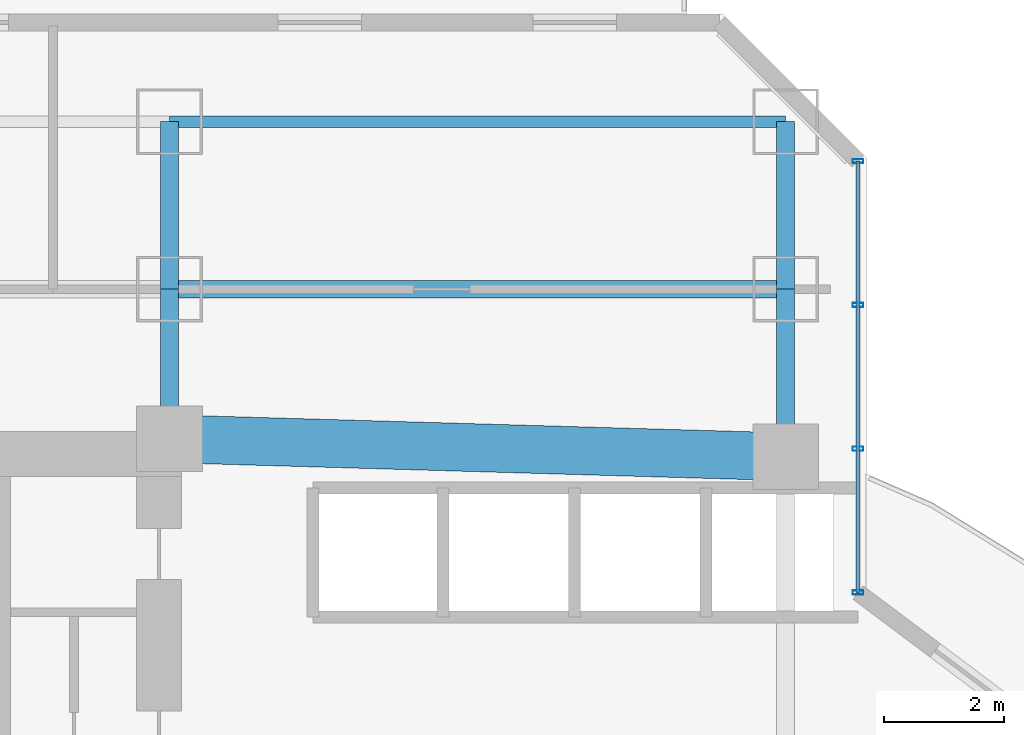
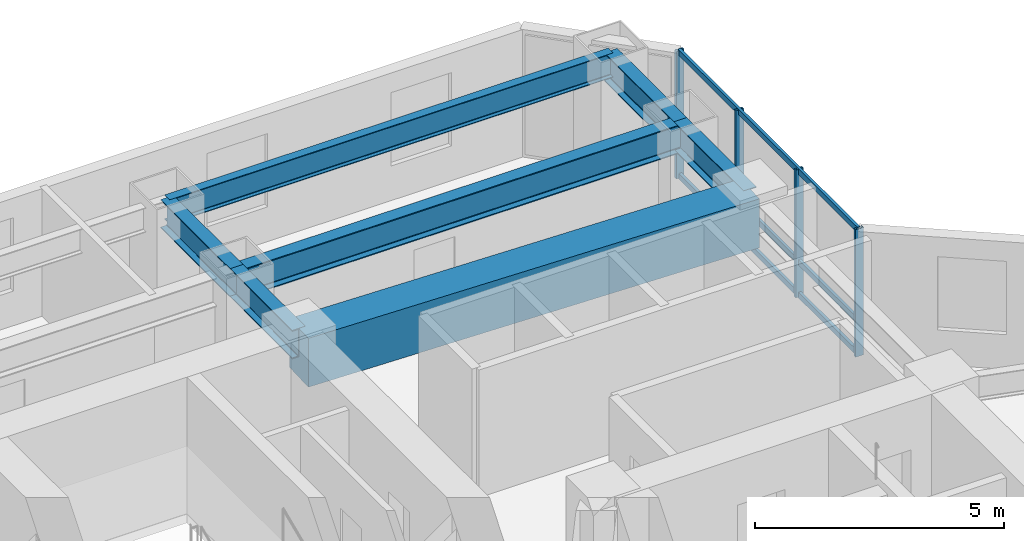
# One storey, part 18 of 33: 7 beams, 7 members, 1 element without a shape of its own.
"""IFC4 building model written with IfcOpenShell, lengths in metres."""

from ifc_helpers import new_model, si_unit, direction, frame, origin, origin_2d, place, context, subcontext, project, spatial, rectangle, hollow_rectangle, i_section, extrude, material, layer, layer_set, material_profile, profile_set, type_object, element, aggregate, save


model = new_model("IFC4")

# Units and contexts
model_context = context("Model", 3, precision=1e-05, world=origin(), true_north=direction((0.0, 1.0)))
body_context = subcontext(model_context, "Body", "Model", "MODEL_VIEW")
ifc_project = project(units=[si_unit("LENGTHUNIT", "METRE"), si_unit("AREAUNIT", "SQUARE_METRE"), si_unit("VOLUMEUNIT", "CUBIC_METRE"), si_unit("PLANEANGLEUNIT", "RADIAN"), si_unit("MASSUNIT", "GRAM", prefix="KILO")], contexts=[model_context])

# Site, building, storey
site_placement = place(None, origin())
site = spatial("IfcSite", under=ifc_project, at=site_placement, CompositionType="ELEMENT")
building_placement = place(site_placement, origin())
building = spatial("IfcBuilding", under=site, at=building_placement, Name="Hatsunagi Terrace Concourse", CompositionType="ELEMENT")
storey_placement = place(building_placement, frame((0.0, 0.0, 53.35009765625)))
storey = spatial("IfcBuildingStorey", under=building, at=storey_placement, Name="L13", CompositionType="ELEMENT", Elevation=53.35009765625)

# Beam
ifc_material_1 = material(Name="Concrete Fc60", Category="concrete")
ifc_material_profile_1 = material_profile(ifc_material_1, rectangle(XDim=0.800048828125, YDim=1.199951171875, at=origin_2d()), Name="RC-800x1200")
ifc_profile_set_1 = profile_set([ifc_material_profile_1], Name="Concrete Fc60")
beam_type_1 = type_object("IfcBeamType", Name="CoreCouplingBeam_RC_800x1200", PredefinedType="BEAM", material=ifc_profile_set_1)
beam_1_placement = place(storey_placement, frame((33.35009765625, 43.300048828125, 2.52978515625), z_axis=(0.999575947545, -0.029119153303, 0.0), x_axis=(0.029119153303, 0.999575947545, 0.0)))
element("IfcBeam", 1, at=beam_1_placement, inside=storey, type_object=beam_type_1, Name="Beam CB-01 CB-L13-2", PredefinedType="BEAM", context=body_context, shape_type="SweptSolid", body=[
    extrude(rectangle(XDim=0.800048828125, YDim=1.199951171875, at=origin_2d()), origin(), (0.0, 0.0, 1.0), 10.30419921875),
])

# Curtain wall, members
ifc_material_2 = material(Name="Anodised Aluminium Alloy 6063-T5", Category="aluminium")
ifc_layer = layer(ifc_material_2, 0.199951171875)
ifc_layer_set = layer_set([ifc_layer], Name="HotelFacade_CW02")
curtain_wall_type = type_object("IfcCurtainWallType", Name="HotelFacade_CW02", PredefinedType="NOTDEFINED", material=ifc_layer_set)
curtain_wall_placement = place(storey_placement, origin())
curtain_wall = element("IfcCurtainWall", 2, at=curtain_wall_placement, inside=storey, type_object=curtain_wall_type, Name="Unitised Curtain Wall CW-02 CW-L13-13", PredefinedType="NOTDEFINED")
ifc_material_3 = material(Name="Anodised Aluminium Alloy 6063-T5", Category="aluminium")
ifc_material_profile_2 = material_profile(ifc_material_3, hollow_rectangle(XDim=0.070068359375, YDim=0.179931640625, WallThickness=0.00390625, at=origin_2d()), Name="ALU-MUL-180x70x4")
ifc_profile_set_2 = profile_set([ifc_material_profile_2], Name="Anodised Aluminium Alloy 6063-T5")
member_type_1 = type_object("IfcMemberType", Name="CurtainWallMullion_180x70", PredefinedType="MULLION", material=ifc_profile_set_2)
member_1_placement = place(storey_placement, frame((44.860107421875, 47.94189453125, 0.0), z_axis=(0.0, 0.0, 1.0), x_axis=(0.0, -1.0, 0.0)))
member_1 = element("IfcMember", 3, at=member_1_placement, type_object=member_type_1, Name="Curtain Wall Mullion MUL-02", PredefinedType="MULLION", context=body_context, shape_type="SweptSolid", body=[
    extrude(hollow_rectangle(XDim=0.070068359375, YDim=0.179931640625, WallThickness=0.00390625, at=origin_2d()), origin(), (0.0, 0.0, 1.0), 3.1298828125),
])
member_2_placement = place(storey_placement, frame((44.860107421875, 45.5380859375, 0.0), z_axis=(0.0, 0.0, 1.0), x_axis=(0.0, -1.0, 0.0)))
member_2 = element("IfcMember", 4, at=member_2_placement, type_object=member_type_1, Name="Curtain Wall Mullion MUL-02", PredefinedType="MULLION", context=body_context, shape_type="SweptSolid", body=[
    extrude(hollow_rectangle(XDim=0.070068359375, YDim=0.179931640625, WallThickness=0.00390625, at=origin_2d()), origin(), (0.0, 0.0, 1.0), 3.1298828125),
])
member_3_placement = place(storey_placement, frame((44.860107421875, 43.134033203125, 0.0), z_axis=(0.0, 0.0, 1.0), x_axis=(0.0, -1.0, 0.0)))
member_3 = element("IfcMember", 5, at=member_3_placement, type_object=member_type_1, Name="Curtain Wall Mullion MUL-02", PredefinedType="MULLION", context=body_context, shape_type="SweptSolid", body=[
    extrude(hollow_rectangle(XDim=0.070068359375, YDim=0.179931640625, WallThickness=0.00390625, at=origin_2d()), origin(), (0.0, 0.0, 1.0), 3.1298828125),
])
member_4_placement = place(storey_placement, frame((44.860107421875, 40.72998046875, 0.0), z_axis=(0.0, 0.0, 1.0), x_axis=(0.0, -1.0, 0.0)))
member_4 = element("IfcMember", 6, at=member_4_placement, type_object=member_type_1, Name="Curtain Wall Mullion MUL-02", PredefinedType="MULLION", context=body_context, shape_type="SweptSolid", body=[
    extrude(hollow_rectangle(XDim=0.070068359375, YDim=0.179931640625, WallThickness=0.00390625, at=origin_2d()), origin(), (0.0, 0.0, 1.0), 3.1298828125),
])
ifc_material_4 = material(Name="Anodised Aluminium Alloy 6063-T5", Category="aluminium")
ifc_material_profile_3 = material_profile(ifc_material_4, hollow_rectangle(XDim=0.06494140625, YDim=0.139892578125, WallThickness=0.00390625, at=origin_2d()), Name="ALU-TRN-140x65x4")
ifc_profile_set_3 = profile_set([ifc_material_profile_3], Name="Anodised Aluminium Alloy 6063-T5")
member_type_2 = type_object("IfcMemberType", Name="CurtainWallTransom_140x65", PredefinedType="USERDEFINED", material=ifc_profile_set_3)
member_5_placement = place(storey_placement, frame((44.860107421875, 47.94189453125, 0.0498046875), z_axis=(0.0, -1.0, 0.0), x_axis=(1.0, 0.0, 0.0)))
member_5 = element("IfcMember", 7, at=member_5_placement, type_object=member_type_2, Name="Curtain Wall Transom TRN-02", ObjectType="TRANSOM", PredefinedType="USERDEFINED", context=body_context, shape_type="SweptSolid", body=[
    extrude(hollow_rectangle(XDim=0.06494140625, YDim=0.139892578125, WallThickness=0.00390625, at=origin_2d()), origin(), (0.0, 0.0, 1.0), 7.2119140625),
])
member_6_placement = place(storey_placement, frame((44.860107421875, 47.94189453125, 0.849853515625), z_axis=(0.0, -1.0, 0.0), x_axis=(1.0, 0.0, 0.0)))
member_6 = element("IfcMember", 8, at=member_6_placement, type_object=member_type_2, Name="Curtain Wall Transom TRN-02", ObjectType="TRANSOM", PredefinedType="USERDEFINED", context=body_context, shape_type="SweptSolid", body=[
    extrude(hollow_rectangle(XDim=0.06494140625, YDim=0.139892578125, WallThickness=0.00390625, at=origin_2d()), origin(), (0.0, 0.0, 1.0), 7.2119140625),
])
member_7_placement = place(storey_placement, frame((44.860107421875, 47.94189453125, 3.079833984375), z_axis=(0.0, -1.0, 0.0), x_axis=(1.0, 0.0, 0.0)))
member_7 = element("IfcMember", 9, at=member_7_placement, type_object=member_type_2, Name="Curtain Wall Transom TRN-02", ObjectType="TRANSOM", PredefinedType="USERDEFINED", context=body_context, shape_type="SweptSolid", body=[
    extrude(hollow_rectangle(XDim=0.06494140625, YDim=0.139892578125, WallThickness=0.00390625, at=origin_2d()), origin(), (0.0, 0.0, 1.0), 7.2119140625),
])
aggregate(curtain_wall, [member_1, member_2, member_3, member_4, member_5, member_6, member_7])

# Beams
ifc_material_5 = material(Name="Steel SN490B", Category="steel")
ifc_material_profile_4 = material_profile(ifc_material_5, i_section(OverallWidth=0.300048828125, OverallDepth=0.699951171875, WebThickness=0.012939453125, FlangeThickness=0.02392578125, FilletRadius=0.02197265625, at=origin_2d()), Name="H-700x300x13x24")
ifc_profile_set_4 = profile_set([ifc_material_profile_4], Name="Steel SN490B")
beam_type_2 = type_object("IfcBeamType", Name="HotelFloorGirder_H_700x300", PredefinedType="BEAM", material=ifc_profile_set_4)
beam_2_placement = place(storey_placement, frame((33.35009765625, 43.300048828125, 2.77978515625), z_axis=(0.0, 1.0, 0.0), x_axis=(-1.0, 0.0, 0.0)))
element("IfcBeam", 10, at=beam_2_placement, inside=storey, type_object=beam_type_2, Name="Beam G-04 BM-L13-CN2", PredefinedType="BEAM", context=body_context, shape_type="SweptSolid", body=[
    extrude(i_section(OverallWidth=0.300048828125, OverallDepth=0.699951171875, WebThickness=0.012939453125, FlangeThickness=0.02392578125, FilletRadius=0.02197265625, at=origin_2d()), origin(), (0.0, 0.0, 1.0), 2.5),
])
beam_3_placement = place(storey_placement, frame((43.64990234375, 43.0, 2.77978515625), z_axis=(0.0, 1.0, 0.0), x_axis=(-1.0, 0.0, 0.0)))
element("IfcBeam", 11, at=beam_3_placement, inside=storey, type_object=beam_type_2, Name="Beam G-04 BM-L13-CN3", PredefinedType="BEAM", context=body_context, shape_type="SweptSolid", body=[
    extrude(i_section(OverallWidth=0.300048828125, OverallDepth=0.699951171875, WebThickness=0.012939453125, FlangeThickness=0.02392578125, FilletRadius=0.02197265625, at=origin_2d()), origin(), (0.0, 0.0, 1.0), 2.800048828125),
])
beam_4_placement = place(storey_placement, frame((33.35009765625, 45.800048828125, 2.77978515625), z_axis=(1.0, 0.0, 0.0), x_axis=(0.0, 1.0, 0.0)))
element("IfcBeam", 12, at=beam_4_placement, inside=storey, type_object=beam_type_2, Name="Beam G-04 BM-L13-CNEW2", PredefinedType="BEAM", context=body_context, shape_type="SweptSolid", body=[
    extrude(i_section(OverallWidth=0.300048828125, OverallDepth=0.699951171875, WebThickness=0.012939453125, FlangeThickness=0.02392578125, FilletRadius=0.02197265625, at=origin_2d()), origin(), (0.0, 0.0, 1.0), 10.2998046875),
])
for number, where, z_axis, x_axis, name in (
    (13, (33.35009765625, 45.800048828125, 2.77978515625), (0.0, 1.0, 0.0), (-1.0, 0.0, 0.0), "Beam G-04 BM-L13-KN-WN5"),
    (14, (43.64990234375, 45.800048828125, 2.77978515625), (0.0, 1.0, 0.0), (-1.0, 0.0, 0.0), "Beam G-04 BM-L13-KN-WN6"),
):
    element("IfcBeam", number, at=place(storey_placement, frame(where, z_axis=z_axis, x_axis=x_axis)), inside=storey, type_object=beam_type_2, Name=name, PredefinedType="BEAM", context=body_context, shape_type="SweptSolid", body=[
        extrude(i_section(OverallWidth=0.300048828125, OverallDepth=0.699951171875, WebThickness=0.012939453125, FlangeThickness=0.02392578125, FilletRadius=0.02197265625, at=origin_2d()), origin(), (0.0, 0.0, 1.0), 2.800048828125),
    ])
ifc_material_6 = material(Name="Steel SN490B", Category="steel")
ifc_material_profile_5 = material_profile(ifc_material_6, i_section(OverallWidth=0.199951171875, OverallDepth=0.60009765625, WebThickness=0.010986328125, FlangeThickness=0.01708984375, FilletRadius=0.01806640625, at=origin_2d()), Name="H-600x200x11x17")
ifc_profile_set_5 = profile_set([ifc_material_profile_5], Name="Steel SN490B")
beam_type_3 = type_object("IfcBeamType", Name="PerimeterSpandrel_H_600x200", PredefinedType="SPANDREL", material=ifc_profile_set_5)
beam_5_placement = place(storey_placement, frame((33.35009765625, 48.60009765625, 2.829833984375), z_axis=(1.0, 0.0, 0.0), x_axis=(0.0, 1.0, 0.0)))
element("IfcBeam", 15, at=beam_5_placement, inside=storey, type_object=beam_type_3, Name="Beam SP-01 BM-L13-WN-33", PredefinedType="SPANDREL", context=body_context, shape_type="SweptSolid", body=[
    extrude(i_section(OverallWidth=0.199951171875, OverallDepth=0.60009765625, WebThickness=0.010986328125, FlangeThickness=0.01708984375, FilletRadius=0.01806640625, at=origin_2d()), origin(), (0.0, 0.0, 1.0), 10.2998046875),
])

save(model, "model.ifc")
